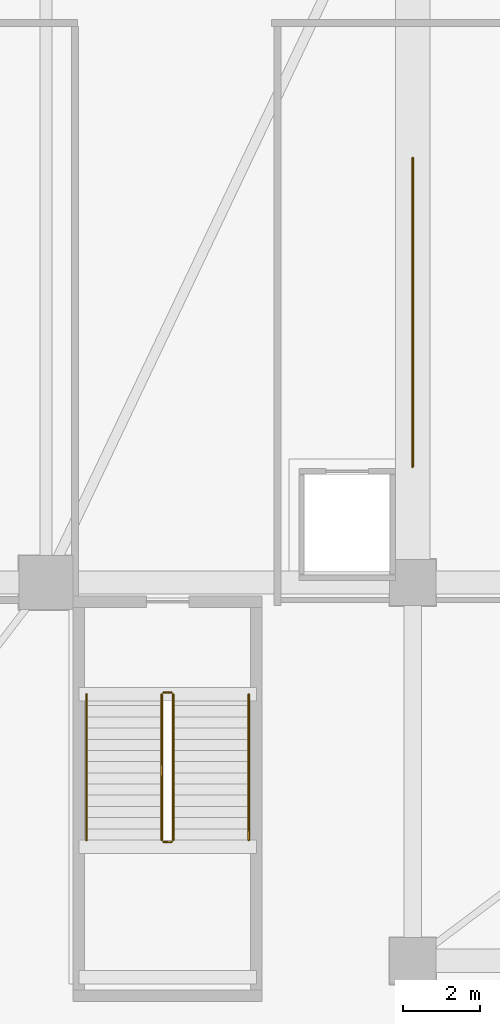
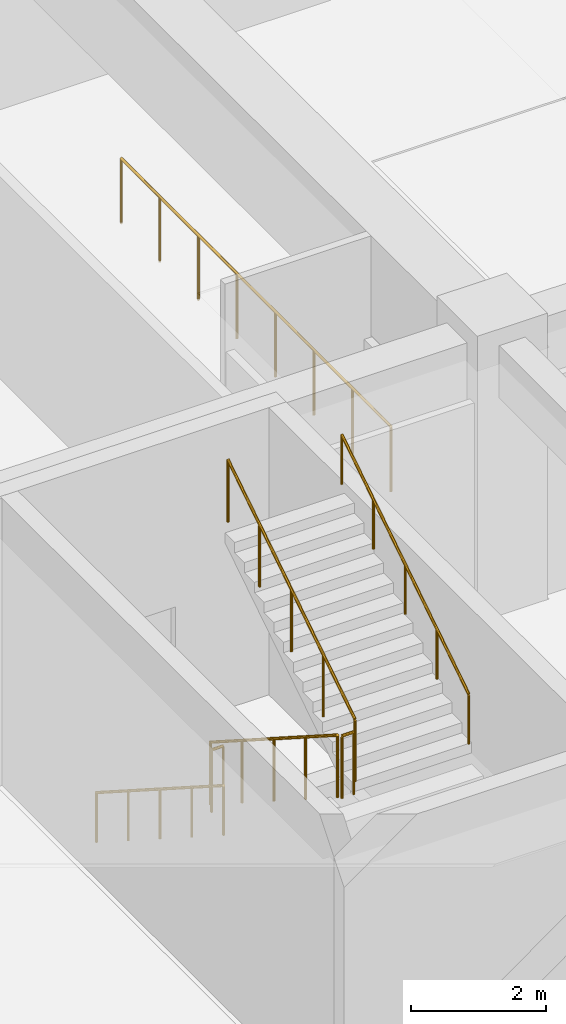
# One storey, part 15 of 18: 7 railings.
"""IFC4 building model written with IfcOpenShell, lengths in metres."""

from ifc_helpers import new_model, si_unit, direction, frame, origin, origin_2d, place, context, subcontext, project, spatial, circle, extrude, material, type_object, element, save


model = new_model("IFC4")

# Units and contexts
model_context = context("Model", 3, precision=1e-05, world=origin(), true_north=direction((0.0, 1.0)))
body_context = subcontext(model_context, "Body", "Model", "MODEL_VIEW")
ifc_project = project(units=[si_unit("LENGTHUNIT", "METRE"), si_unit("AREAUNIT", "SQUARE_METRE"), si_unit("VOLUMEUNIT", "CUBIC_METRE"), si_unit("PLANEANGLEUNIT", "RADIAN"), si_unit("MASSUNIT", "GRAM", prefix="KILO")], contexts=[model_context])

# Site, building, storey
site_placement = place(None, origin())
site = spatial("IfcSite", under=ifc_project, at=site_placement, CompositionType="ELEMENT")
building_placement = place(site_placement, origin())
building = spatial("IfcBuilding", under=site, at=building_placement, Name="Calvemar Wedge Station Tower", CompositionType="ELEMENT")
storey_placement = place(building_placement, frame((0.0, 0.0, 11.199951171875)))
storey = spatial("IfcBuildingStorey", under=building, at=storey_placement, Name="L03", CompositionType="ELEMENT", Elevation=11.199951171875)

# Railings
ifc_material_1 = material(Name="Anodised aluminium 6063-T6", Category="aluminium")
railing_type_1 = type_object("IfcRailingType", Name="RL-BALUSTRADE-1200", PredefinedType="BALUSTRADE", material=ifc_material_1)
railing_1_placement = place(storey_placement, frame((48.0, 18.0, 0.0)))
element("IfcRailing", 1, at=railing_1_placement, inside=storey, type_object=railing_type_1, Name="Storey L03 Glazed Feature Balustrade 5", PredefinedType="BALUSTRADE", context=body_context, shape_type="SweptSolid", body=[
    extrude(circle(Radius=0.02392578125, at=origin_2d()), frame((0.0, 0.0, 1.17578125), z_axis=(0.0, 1.0, 0.0), x_axis=(-1.0, 0.0, 0.0)), (0.0, 0.0, 1.0), 8.0),
    extrude(circle(Radius=0.02099609375, at=origin_2d()), origin(), (0.0, 0.0, 1.0), 1.15185546875),
    extrude(circle(Radius=0.02099609375, at=origin_2d()), frame((0.0, 1.142822265625, 0.0)), (0.0, 0.0, 1.0), 1.15185546875),
    extrude(circle(Radius=0.02099609375, at=origin_2d()), frame((0.0, 2.28564453125, 0.0)), (0.0, 0.0, 1.0), 1.15185546875),
    extrude(circle(Radius=0.02099609375, at=origin_2d()), frame((0.0, 3.428466796875, 0.0)), (0.0, 0.0, 1.0), 1.15185546875),
    extrude(circle(Radius=0.02099609375, at=origin_2d()), frame((0.0, 4.571533203125, 0.0)), (0.0, 0.0, 1.0), 1.15185546875),
    extrude(circle(Radius=0.02099609375, at=origin_2d()), frame((0.0, 5.71435546875, 0.0)), (0.0, 0.0, 1.0), 1.15185546875),
    extrude(circle(Radius=0.02099609375, at=origin_2d()), frame((0.0, 6.857177734375, 0.0)), (0.0, 0.0, 1.0), 1.15185546875),
    extrude(circle(Radius=0.02099609375, at=origin_2d()), frame((0.0, 8.0, 0.0)), (0.0, 0.0, 1.0), 1.15185546875),
])
ifc_material_2 = material(Name="Stainless steel AISI 316L", Category="steel")
railing_type_2 = type_object("IfcRailingType", Name="RL-HANDRAIL-920", PredefinedType="HANDRAIL", material=ifc_material_2)
railing_2_placement = place(storey_placement, frame((39.550048828125, 12.10009765625, 0.185791015625)))
element("IfcRailing", 2, at=railing_2_placement, inside=storey, type_object=railing_type_2, Name="L03 ST-P2 stair handrail 1", PredefinedType="HANDRAIL", context=body_context, shape_type="SweptSolid", body=[
    extrude(circle(Radius=0.02392578125, at=origin_2d()), frame((0.0, 0.0, 0.89599609375), z_axis=(0.0, -0.84211983486, 0.539290444692), x_axis=(1.0, 0.0, 0.0)), (0.0, 0.0, 1.0), 4.476806640625),
    extrude(circle(Radius=0.02099609375, at=origin_2d()), origin(), (0.0, 0.0, 1.0), 0.871826171875),
    extrude(circle(Radius=0.02099609375, at=origin_2d()), frame((0.0, -0.9423828125, 0.603515625)), (0.0, 0.0, 1.0), 0.871826171875),
    extrude(circle(Radius=0.02099609375, at=origin_2d()), frame((0.0, -1.885009765625, 1.20703125)), (0.0, 0.0, 1.0), 0.871826171875),
    extrude(circle(Radius=0.02099609375, at=origin_2d()), frame((0.0, -2.82763671875, 1.810791015625)), (0.0, 0.0, 1.0), 0.871826171875),
    extrude(circle(Radius=0.02099609375, at=origin_2d()), frame((0.0, -3.77001953125, 2.414306640625)), (0.0, 0.0, 1.0), 0.871826171875),
])
railing_3_placement = place(storey_placement, frame((43.75, 8.330078125, 2.78564453125)))
element("IfcRailing", 3, at=railing_3_placement, inside=storey, type_object=railing_type_2, Name="L03 ST-P2 stair handrail 2", PredefinedType="HANDRAIL", context=body_context, shape_type="SweptSolid", body=[
    extrude(circle(Radius=0.02392578125, at=origin_2d()), frame((0.0, 0.0, 0.89599609375), z_axis=(0.0, 0.84211983486, 0.539290444692), x_axis=(-1.0, 0.0, 0.0)), (0.0, 0.0, 1.0), 4.476806640625),
    extrude(circle(Radius=0.02099609375, at=origin_2d()), origin(), (0.0, 0.0, 1.0), 0.871826171875),
    extrude(circle(Radius=0.02099609375, at=origin_2d()), frame((0.0, 0.9423828125, 0.603515625)), (0.0, 0.0, 1.0), 0.871826171875),
    extrude(circle(Radius=0.02099609375, at=origin_2d()), frame((0.0, 1.885009765625, 1.20703125)), (0.0, 0.0, 1.0), 0.871826171875),
    extrude(circle(Radius=0.02099609375, at=origin_2d()), frame((0.0, 2.82763671875, 1.810791015625)), (0.0, 0.0, 1.0), 0.871826171875),
    extrude(circle(Radius=0.02099609375, at=origin_2d()), frame((0.0, 3.77001953125, 2.414306640625)), (0.0, 0.0, 1.0), 0.871826171875),
])
ifc_material_3 = material(Name="Painted steel guardrail ASTM A500 Grade C", Category="steel")
railing_type_3 = type_object("IfcRailingType", Name="RL-STAIR-GUARD-1150", PredefinedType="GUARDRAIL", material=ifc_material_3)
railing_4_placement = place(storey_placement, frame((41.5, 12.10009765625, 0.185791015625)))
element("IfcRailing", 4, at=railing_4_placement, inside=storey, type_object=railing_type_3, Name="L03 ST-P2 stair guard 1", PredefinedType="GUARDRAIL", context=body_context, shape_type="SweptSolid", body=[
    extrude(circle(Radius=0.02392578125, at=origin_2d()), frame((0.0, 0.0, 1.1259765625), z_axis=(0.0, -0.84211983486, 0.539290444692), x_axis=(1.0, 0.0, 0.0)), (0.0, 0.0, 1.0), 4.476806640625),
    extrude(circle(Radius=0.02099609375, at=origin_2d()), origin(), (0.0, 0.0, 1.0), 1.101806640625),
    extrude(circle(Radius=0.02099609375, at=origin_2d()), frame((0.0, -0.9423828125, 0.603515625)), (0.0, 0.0, 1.0), 1.101806640625),
    extrude(circle(Radius=0.02099609375, at=origin_2d()), frame((0.0, -1.885009765625, 1.20703125)), (0.0, 0.0, 1.0), 1.101806640625),
    extrude(circle(Radius=0.02099609375, at=origin_2d()), frame((0.0, -2.82763671875, 1.810791015625)), (0.0, 0.0, 1.0), 1.101806640625),
    extrude(circle(Radius=0.02099609375, at=origin_2d()), frame((0.0, -3.77001953125, 2.414306640625)), (0.0, 0.0, 1.0), 1.101806640625),
])
railing_5_placement = place(storey_placement, frame((41.550048828125, 8.280029296875, 2.60009765625)))
element("IfcRailing", 5, at=railing_5_placement, inside=storey, type_object=railing_type_3, Name="L03 ST-P2 stair guard 2", PredefinedType="GUARDRAIL", context=body_context, shape_type="SweptSolid", body=[
    extrude(circle(Radius=0.02392578125, at=origin_2d()), frame((0.0, 0.0, 1.1259765625), z_axis=(1.0, 0.0, 0.0), x_axis=(0.0, 1.0, 0.0)), (0.0, 0.0, 1.0), 0.199951171875),
    extrude(circle(Radius=0.02099609375, at=origin_2d()), origin(), (0.0, 0.0, 1.0), 1.101806640625),
    extrude(circle(Radius=0.02099609375, at=origin_2d()), frame((0.199951171875, 0.0, 0.0)), (0.0, 0.0, 1.0), 1.101806640625),
])
railing_6_placement = place(storey_placement, frame((41.800048828125, 8.330078125, 2.78564453125)))
element("IfcRailing", 6, at=railing_6_placement, inside=storey, type_object=railing_type_3, Name="L03 ST-P2 stair guard 3", PredefinedType="GUARDRAIL", context=body_context, shape_type="SweptSolid", body=[
    extrude(circle(Radius=0.02392578125, at=origin_2d()), frame((0.0, 0.0, 1.1259765625), z_axis=(0.0, 0.84211983486, 0.539290444692), x_axis=(-1.0, 0.0, 0.0)), (0.0, 0.0, 1.0), 4.476806640625),
    extrude(circle(Radius=0.02099609375, at=origin_2d()), origin(), (0.0, 0.0, 1.0), 1.101806640625),
    extrude(circle(Radius=0.02099609375, at=origin_2d()), frame((0.0, 0.9423828125, 0.603515625)), (0.0, 0.0, 1.0), 1.101806640625),
    extrude(circle(Radius=0.02099609375, at=origin_2d()), frame((0.0, 1.885009765625, 1.20703125)), (0.0, 0.0, 1.0), 1.101806640625),
    extrude(circle(Radius=0.02099609375, at=origin_2d()), frame((0.0, 2.82763671875, 1.810791015625)), (0.0, 0.0, 1.0), 1.101806640625),
    extrude(circle(Radius=0.02099609375, at=origin_2d()), frame((0.0, 3.77001953125, 2.414306640625)), (0.0, 0.0, 1.0), 1.101806640625),
])
railing_7_placement = place(storey_placement, frame((41.550048828125, 12.14990234375, 0.0)))
element("IfcRailing", 7, at=railing_7_placement, inside=storey, type_object=railing_type_3, Name="L03 ST-P2 stair guard 4", PredefinedType="GUARDRAIL", context=body_context, shape_type="SweptSolid", body=[
    extrude(circle(Radius=0.02392578125, at=origin_2d()), frame((0.0, 0.0, 1.1259765625), z_axis=(1.0, 0.0, 0.0), x_axis=(0.0, 1.0, 0.0)), (0.0, 0.0, 1.0), 0.199951171875),
    extrude(circle(Radius=0.02099609375, at=origin_2d()), origin(), (0.0, 0.0, 1.0), 1.101806640625),
    extrude(circle(Radius=0.02099609375, at=origin_2d()), frame((0.199951171875, 0.0, 0.0)), (0.0, 0.0, 1.0), 1.101806640625),
])

save(model, "model.ifc")
